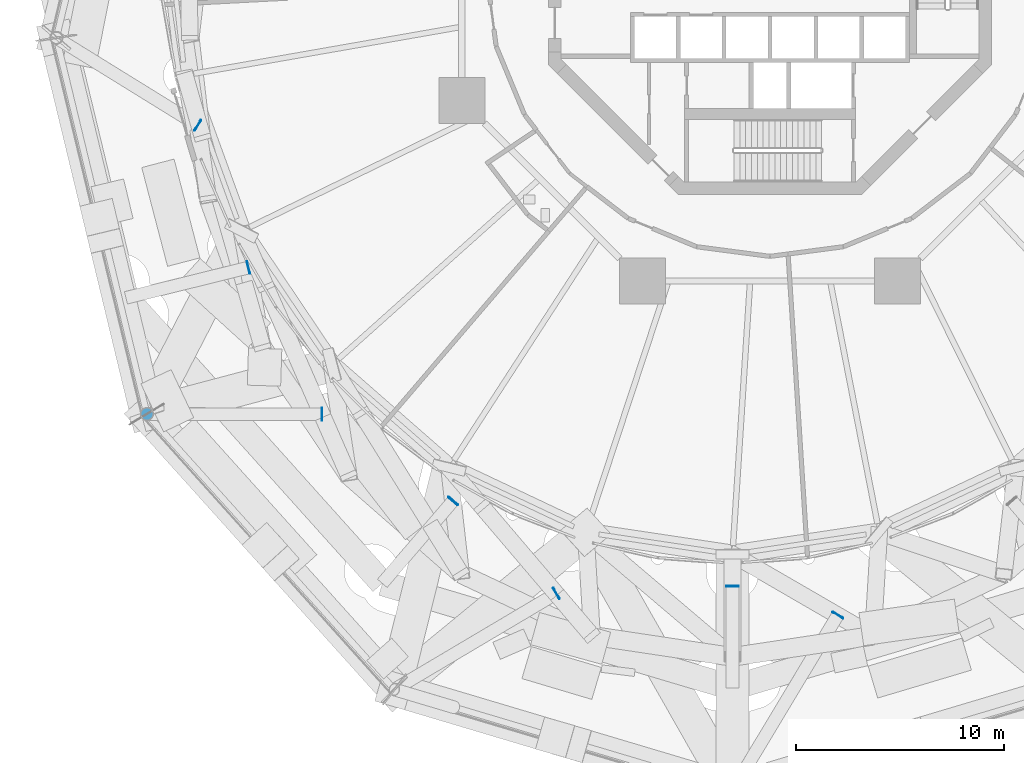
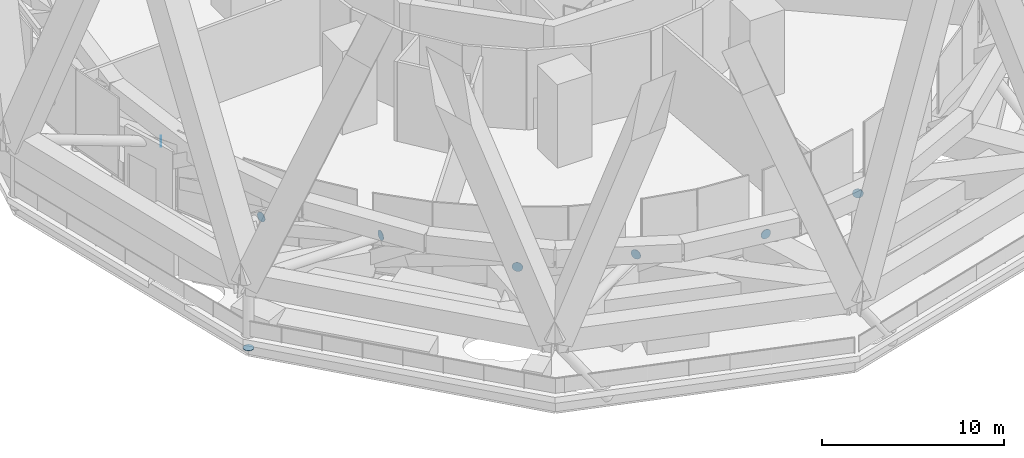
# One storey, part 58 of 65: 8 discrete accessories.
"""IFC4 building model written with IfcOpenShell, lengths in metres."""

import ifcopenshell
import ifcopenshell.guid

model = None  # the IFC model being written
_history = None  # IfcOwnerHistory: only IFC2X3 demands one
_inside = {}  # id of a spatial element -> (the spatial element, [elements in it])
_under = {}  # id of a project, library or spatial element -> (it, [spatial elements below it])
_declared = {}  # id of a project -> (the project, [libraries it declares])
_typed = {}  # id of a type object -> (the type object, [elements of that type])
_made_of = {}  # id of a material, layer set ... -> (it, [elements and type objects made of it])


def new_model(schema):
    """Start an empty IFC model of exactly this schema.

    Asked for "IFC4X3", IfcOpenShell would pick the latest addendum, in which some entities
    have other attributes; the version numbers below select the first issue.
    IFC2X3 requires an IfcOwnerHistory on every rooted entity: one is made here for all.
    """
    global model, _history
    if schema == "IFC4X3":
        model = ifcopenshell.file(schema_version=(4, 3, 0, 0))
    else:
        model = ifcopenshell.file(schema=schema)
    _inside.clear()
    _under.clear()
    _declared.clear()
    _typed.clear()
    _made_of.clear()
    _history = None
    if model.schema == "IFC2X3":
        org = make("IfcOrganization", Name="unknown")
        user = make(
            "IfcPersonAndOrganization",
            ThePerson=make("IfcPerson", FamilyName="unknown"),
            TheOrganization=org,
        )
        app = make(
            "IfcApplication",
            ApplicationDeveloper=org,
            Version="unknown",
            ApplicationFullName="unknown",
            ApplicationIdentifier="unknown",
        )
        _history = make(
            "IfcOwnerHistory",
            OwningUser=user,
            OwningApplication=app,
            ChangeAction="ADDED",
            CreationDate=0,
        )
    return model


def make(cls, **values):
    """One entity of the class cls with the attributes given. An attribute that is None is left unset."""
    return model.create_entity(
        cls, **{name: value for name, value in values.items() if value is not None}
    )


def rooted(cls, **values):
    """An entity with a GlobalId (a new one), such as an element, a storey or a relation."""
    return make(cls, GlobalId=ifcopenshell.guid.new(), OwnerHistory=_history, **values)


def si_unit(unit_type, name, prefix=None):
    """IfcSIUnit, for example si_unit("LENGTHUNIT", "METRE", prefix="MILLI")."""
    return make("IfcSIUnit", UnitType=unit_type, Prefix=prefix, Name=name)


def assignment(units):
    """IfcUnitAssignment: the units of a project."""
    return None if units is None else make("IfcUnitAssignment", Units=units)


def point(xyz):
    """IfcCartesianPoint."""
    return None if xyz is None else make("IfcCartesianPoint", Coordinates=xyz)


def direction(xyz):
    """IfcDirection."""
    return None if xyz is None else make("IfcDirection", DirectionRatios=xyz)


def frame(location, z_axis=None, x_axis=None):
    """IfcAxis2Placement3D, a coordinate frame: its origin and axes. An axis left out is left unset."""
    return make(
        "IfcAxis2Placement3D",
        Location=point(location),
        Axis=direction(z_axis),
        RefDirection=direction(x_axis),
    )


def frame_2d(location, x_axis=None):
    """IfcAxis2Placement2D, a coordinate frame in the plane: its origin and x axis."""
    return make(
        "IfcAxis2Placement2D", Location=point(location), RefDirection=direction(x_axis)
    )


def origin():
    """The frame at (0, 0, 0) with its axes left unset."""
    return frame((0.0, 0.0, 0.0))


def origin_2d():
    """The frame at (0, 0) in the plane with its x axis left unset."""
    return frame_2d((0.0, 0.0))


def place(relative_to, where):
    """IfcLocalPlacement: puts the frame where relative to a parent placement (None: the world)."""
    return make(
        "IfcLocalPlacement", PlacementRelTo=relative_to, RelativePlacement=where
    )


def context(
    kind, dimensions, precision=None, world=None, true_north=None, identifier=None
):
    """IfcGeometricRepresentationContext, for example the 3D "Model" context."""
    return make(
        "IfcGeometricRepresentationContext",
        ContextIdentifier=identifier,
        ContextType=kind,
        CoordinateSpaceDimension=dimensions,
        Precision=precision,
        WorldCoordinateSystem=world,
        TrueNorth=true_north,
    )


def subcontext(parent, identifier, kind, view, scale=None):
    """IfcGeometricRepresentationSubContext, for example "Body" below "Model"."""
    return make(
        "IfcGeometricRepresentationSubContext",
        ContextIdentifier=identifier,
        ContextType=kind,
        ParentContext=parent,
        TargetScale=scale,
        TargetView=view,
    )


def project(units=None, contexts=None):
    """IfcProject with its units and contexts."""
    return rooted(
        "IfcProject",
        Name="project",
        RepresentationContexts=contexts,
        UnitsInContext=assignment(units),
    )


def spatial(cls, under=None, at=None, **own):
    """A site, building, storey or space (cls), placed at a placement, below another one or the project."""
    s = rooted(cls, ObjectPlacement=at, **own)
    if under is not None:
        _under.setdefault(under.id(), (under, []))[1].append(s)
    return s


def profile(cls, at=None, kind="AREA", **sizes):
    """A parametric profile (cls). Its sizes go by their IFC names, for example OverallWidth=200.0."""
    return make(cls, ProfileType=kind, Position=at, **sizes)


def circle(**sizes):
    """IfcCircleProfileDef."""
    return profile("IfcCircleProfileDef", **sizes)


def extrude(swept, where, along, depth):
    """IfcExtrudedAreaSolid: the profile swept, set in the frame where, extruded along a direction by depth."""
    return make(
        "IfcExtrudedAreaSolid",
        SweptArea=swept,
        Position=where,
        ExtrudedDirection=direction(along),
        Depth=depth,
    )


def shape(context_of_items, identifier, shape_type, items):
    """IfcShapeRepresentation: the items that make up one representation, for example the "Body"."""
    return make(
        "IfcShapeRepresentation",
        ContextOfItems=context_of_items,
        RepresentationIdentifier=identifier,
        RepresentationType=shape_type,
        Items=items,
    )


def material(Name=None, Category=None):
    """IfcMaterial."""
    return make("IfcMaterial", Name=Name, Category=Category)


def layer(
    of_material, thickness, ventilated=None, Name=None, Category=None, Priority=None
):
    """IfcMaterialLayer: one layer of a wall or slab, of a material (None: an air gap)."""
    return make(
        "IfcMaterialLayer",
        Material=of_material,
        LayerThickness=thickness,
        IsVentilated=ventilated,
        Name=Name,
        Category=Category,
        Priority=Priority,
    )


def layer_set(layers, Name=None):
    """IfcMaterialLayerSet."""
    return make("IfcMaterialLayerSet", MaterialLayers=layers, LayerSetName=Name)


def made_of(thing, what):
    """Note that an element or type object is made of a material, layer set ...; save() writes the relation."""
    if what is not None:
        _made_of.setdefault(what.id(), (what, []))[1].append(thing)
    return thing


def type_object(cls, material=None, **own):
    """A type object (cls), such as IfcWallType, which elements share."""
    return made_of(rooted(cls, **own), material)


def element(
    cls,
    number,
    at=None,
    inside=None,
    cuts=None,
    type_object=None,
    material=None,
    context=None,
    identifier="Body",
    shape_type=None,
    held_by="IfcProductDefinitionShape",
    body=None,
    shapes=None,
    **own,
):
    """One element of the class cls, such as IfcWall. Its Tag is "e" and its number.

    at: its placement. inside: the storey or other place that contains it. cuts: it is an
    opening in that element (IfcRelVoidsElement). A single representation is given by context,
    identifier, shape_type and body (its items); several are given by shapes. held_by: the class
    of the entity that holds the representations. save() writes the other relations.
    """
    e = rooted(cls, Tag="e%d" % number, ObjectPlacement=at, **own)
    if body is not None:
        shapes = [shape(context, identifier, shape_type, body)]
    if shapes is not None:
        e.Representation = make(held_by, Representations=shapes)
    if inside is not None:
        _inside.setdefault(inside.id(), (inside, []))[1].append(e)
    if cuts is not None:
        rooted(
            "IfcRelVoidsElement", RelatingBuildingElement=cuts, RelatedOpeningElement=e
        )
    if type_object is not None:
        _typed.setdefault(type_object.id(), (type_object, []))[1].append(e)
    return made_of(e, material)


def aggregate(whole, parts):
    """IfcRelAggregates: a whole, such as a stair, and the parts it consists of."""
    return rooted("IfcRelAggregates", RelatingObject=whole, RelatedObjects=parts)


def save(model, path):
    """Write the relations noted so far, then the file.

    IfcRelAggregates (storeys below a building ...), IfcRelContainedInSpatialStructure (elements
    in a storey), IfcRelDefinesByType, IfcRelAssociatesMaterial and IfcRelDeclares: one each for
    every whole, place, type object, material and project.
    """
    for whole, parts in _under.values():
        aggregate(whole, parts)
    for where, things in _inside.values():
        rooted(
            "IfcRelContainedInSpatialStructure",
            RelatedElements=things,
            RelatingStructure=where,
        )
    for kind, things in _typed.values():
        rooted("IfcRelDefinesByType", RelatedObjects=things, RelatingType=kind)
    for what, things in _made_of.values():
        rooted("IfcRelAssociatesMaterial", RelatedObjects=things, RelatingMaterial=what)
    for by, libraries in _declared.values():
        rooted("IfcRelDeclares", RelatingContext=by, RelatedDefinitions=libraries)
    model.write(path)


model = new_model("IFC4")

# Units and contexts
model_context = context("Model", 3, precision=1e-05, world=origin(), true_north=direction((0.0, 1.0)))
body_context = subcontext(model_context, "Body", "Model", "MODEL_VIEW")
ifc_project = project(units=[si_unit("LENGTHUNIT", "METRE"), si_unit("AREAUNIT", "SQUARE_METRE"), si_unit("VOLUMEUNIT", "CUBIC_METRE"), si_unit("PLANEANGLEUNIT", "RADIAN"), si_unit("MASSUNIT", "GRAM", prefix="KILO")], contexts=[model_context])

# Site, building, storey
site_placement = place(None, origin())
site = spatial("IfcSite", under=ifc_project, at=site_placement, CompositionType="ELEMENT")
building_placement = place(site_placement, origin())
building = spatial("IfcBuilding", under=site, at=building_placement, Name="Nagisa Residences", CompositionType="ELEMENT")
storey_placement = place(building_placement, frame((0.0, 0.0, 114.0)))
storey = spatial("IfcBuildingStorey", under=building, at=storey_placement, Name="L28", CompositionType="ELEMENT", Elevation=114.0)

# Discrete accessories
ifc_material_1 = material(Name="Steel ASTM A572 Gr 50", Category="steel")
ifc_layer_1 = layer(ifc_material_1, 0.030029296875)
ifc_layer_set_1 = layer_set([ifc_layer_1], Name="End plate")
discrete_accessory_type_1 = type_object("IfcDiscreteAccessoryType", Name="End plate", PredefinedType="ANCHORPLATE", material=ifc_layer_set_1)
discrete_accessory_1_placement = place(storey_placement, frame((-29.8896484375, -21.165283203125, -0.889892578125), z_axis=(0.0, 0.0, -1.0), x_axis=(1.0, 0.0, 0.0)))
element("IfcDiscreteAccessory", 1, at=discrete_accessory_1_placement, inside=storey, type_object=discrete_accessory_type_1, Name="End plate DH205", PredefinedType="ANCHORPLATE", context=body_context, shape_type="SweptSolid", body=[
    extrude(circle(Radius=0.304931640625, at=origin_2d()), origin(), (0.0, 0.0, 1.0), 0.030029296875),
])
ifc_material_2 = material(Name="Steel ASTM A572 Gr 50", Category="steel")
ifc_layer_2 = layer(ifc_material_2, 0.030029296875)
ifc_layer_set_2 = layer_set([ifc_layer_2], Name="Node plate")
discrete_accessory_type_2 = type_object("IfcDiscreteAccessoryType", Name="Node plate", PredefinedType="ANCHORPLATE", material=ifc_layer_set_2)
for number, where, z_axis, x_axis, name in (
    (2, (-25.0361328125, -14.140625, 1.89990234375), (0.969661287127, 0.244452425326, 0.0), (-0.244452425326, 0.969661287127, 0.0), "Node plate ST2A08"),
    (3, (-15.21533203125, -25.341064453125, 1.89990234375), (0.652132982659, 0.758104592341, 0.0), (-0.758104592341, 0.652132982659, 0.0), "Node plate ST2A09"),
):
    element("IfcDiscreteAccessory", number, at=place(storey_placement, frame(where, z_axis=z_axis, x_axis=x_axis)), inside=storey, type_object=discrete_accessory_type_2, Name=name, PredefinedType="ANCHORPLATE", context=body_context, shape_type="SweptSolid", body=[
        extrude(circle(Radius=0.304931640625, at=origin_2d()), origin(), (0.0, 0.0, 1.0), 0.030029296875),
    ])
discrete_accessory_2_placement = place(storey_placement, frame((-1.800048828125, -29.440673828125, 1.89990234375), z_axis=(0.0, 1.0, 0.0), x_axis=(-1.0, 0.0, 0.0)))
element("IfcDiscreteAccessory", 4, at=discrete_accessory_2_placement, inside=storey, type_object=discrete_accessory_type_2, Name="Node plate ST2A10", PredefinedType="ANCHORPLATE", context=body_context, shape_type="SweptSolid", body=[
    extrude(circle(Radius=0.304931640625, at=origin_2d()), origin(), (0.0, 0.0, 1.0), 0.02978515625),
])
for number, where, z_axis, x_axis, name in (
    (5, (-27.462158203125, -7.30615234375, 3.699951171875), (0.850265146688, -0.526354614616, 0.0), (0.526354614616, 0.850265146688, 0.0), "Node plate ST3B07"),
    (6, (-21.501220703125, -21.169677734375, 3.699951171875), (1.0, 0.0, 0.0), (0.0, 1.0, 0.0), "Node plate ST3B08"),
    (7, (-10.261474609375, -29.7763671875, 3.699951171875), (0.863187603129, 0.504883315038, 0.0), (-0.504883315038, 0.863187603129, 0.0), "Node plate ST3B09"),
    (8, (3.24560546875, -30.8203125, 3.699951171875), (0.510913451654, 0.85963215675, 0.0), (-0.85963215675, 0.510913451654, 0.0), "Node plate ST3B10"),
):
    element("IfcDiscreteAccessory", number, at=place(storey_placement, frame(where, z_axis=z_axis, x_axis=x_axis)), inside=storey, type_object=discrete_accessory_type_2, Name=name, PredefinedType="ANCHORPLATE", context=body_context, shape_type="SweptSolid", body=[
        extrude(circle(Radius=0.304931640625, at=origin_2d()), origin(), (0.0, 0.0, 1.0), 0.030029296875),
    ])

save(model, "model.ifc")
